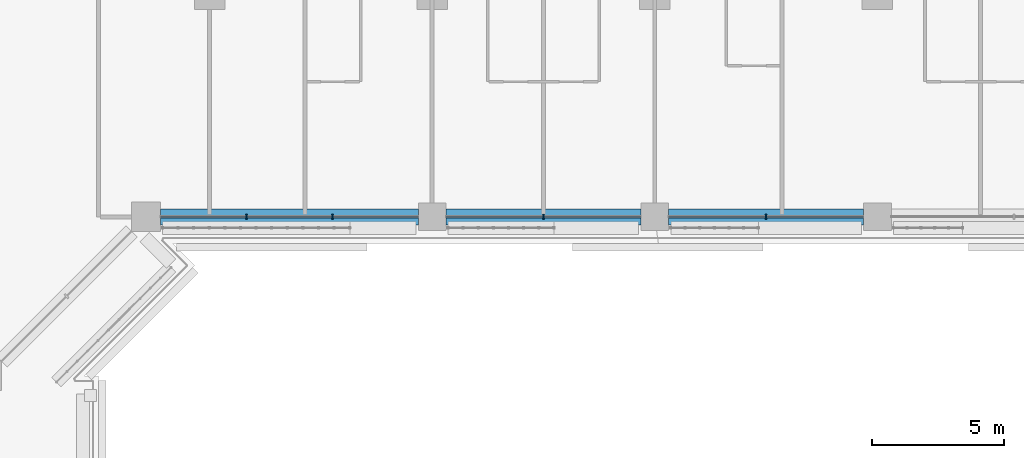
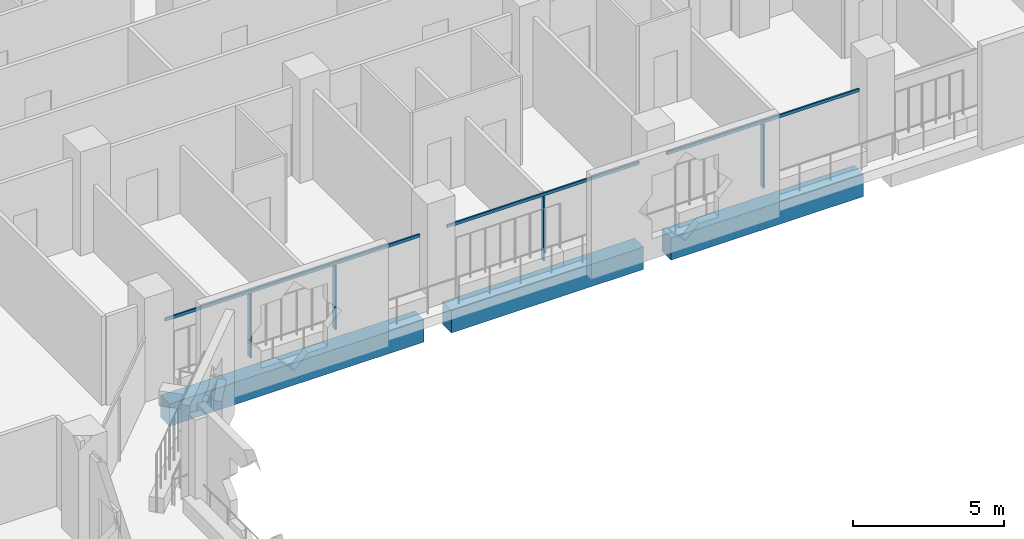
# One storey, part 6 of 27: 7 members, 3 beams, 1 element without a shape of its own.
"""IFC4 building model written with IfcOpenShell, lengths in metres."""

from ifc_helpers import new_model, si_unit, direction, frame, origin, origin_2d, place, context, subcontext, project, spatial, rectangle, extrude, material, layer, layer_set, material_profile, profile_set, type_object, element, aggregate, save


model = new_model("IFC4")

# Units and contexts
model_context = context("Model", 3, precision=1e-05, world=origin(), true_north=direction((0.0, 1.0)))
body_context = subcontext(model_context, "Body", "Model", "MODEL_VIEW")
ifc_project = project(units=[si_unit("LENGTHUNIT", "METRE"), si_unit("AREAUNIT", "SQUARE_METRE"), si_unit("VOLUMEUNIT", "CUBIC_METRE"), si_unit("PLANEANGLEUNIT", "RADIAN"), si_unit("MASSUNIT", "GRAM", prefix="KILO")], contexts=[model_context])

# Site, building, storey
site_placement = place(None, origin())
site = spatial("IfcSite", under=ifc_project, at=site_placement, CompositionType="ELEMENT")
building_placement = place(site_placement, origin())
building = spatial("IfcBuilding", under=site, at=building_placement, Name="Kawkab Arch Medical Tower", CompositionType="ELEMENT")
storey_placement = place(building_placement, frame((0.0, 0.0, 115.60009765625)))
storey = spatial("IfcBuildingStorey", under=building, at=storey_placement, Name="L26", CompositionType="ELEMENT", Elevation=115.60009765625)

# Curtain wall, members
ifc_material_1 = material(Name="Bronze anodised aluminium curtain wall frame", Category="aluminium")
ifc_layer = layer(ifc_material_1, 0.159912109375)
ifc_layer_set = layer_set([ifc_layer], Name="Bronze anodised aluminium curtain wall frame")
curtain_wall_type = type_object("IfcCurtainWallType", Name="CW1 ward curtain wall", PredefinedType="NOTDEFINED", material=ifc_layer_set)
curtain_wall_placement = place(storey_placement, origin())
curtain_wall = element("IfcCurtainWall", 1, at=curtain_wall_placement, inside=storey, type_object=curtain_wall_type, Name="CW1 Ward curtain wall R07", PredefinedType="NOTDEFINED")
ifc_material_2 = material(Name="Bronze anodised aluminium curtain wall frame", Category="aluminium")
ifc_material_profile_1 = material_profile(ifc_material_2, rectangle(XDim=0.179931640625, YDim=0.06005859375, at=origin_2d()), Name="AL 60x180")
ifc_profile_set_1 = profile_set([ifc_material_profile_1], Name="Bronze anodised aluminium curtain wall frame")
member_type_1 = type_object("IfcMemberType", Name="CW1 mullion 60 x 180", PredefinedType="MULLION", material=ifc_profile_set_1)
member_1_placement = place(storey_placement, frame((34.99169921875, -25.199951171875, 0.0), z_axis=(0.0, 0.0, 1.0), x_axis=(0.0, 1.0, 0.0)))
member_1 = element("IfcMember", 2, at=member_1_placement, type_object=member_type_1, Name="CW1 mullion 1.1", PredefinedType="MULLION", context=body_context, shape_type="SweptSolid", body=[
    extrude(rectangle(XDim=0.179931640625, YDim=0.06005859375, at=origin_2d()), origin(), (0.0, 0.0, 1.0), 2.579833984375),
])
member_2_placement = place(storey_placement, frame((38.2333984375, -25.199951171875, 0.0), z_axis=(0.0, 0.0, 1.0), x_axis=(0.0, 1.0, 0.0)))
member_2 = element("IfcMember", 3, at=member_2_placement, type_object=member_type_1, Name="CW1 mullion 1.2", PredefinedType="MULLION", context=body_context, shape_type="SweptSolid", body=[
    extrude(rectangle(XDim=0.179931640625, YDim=0.06005859375, at=origin_2d()), origin(), (0.0, 0.0, 1.0), 2.579833984375),
])
member_3_placement = place(storey_placement, frame((46.199951171875, -25.199951171875, 0.0), z_axis=(0.0, 0.0, 1.0), x_axis=(0.0, 1.0, 0.0)))
member_3 = element("IfcMember", 4, at=member_3_placement, type_object=member_type_1, Name="CW1 mullion 2.1", PredefinedType="MULLION", context=body_context, shape_type="SweptSolid", body=[
    extrude(rectangle(XDim=0.179931640625, YDim=0.06005859375, at=origin_2d()), origin(), (0.0, 0.0, 1.0), 2.579833984375),
])
member_4_placement = place(storey_placement, frame((54.60009765625, -25.199951171875, 0.0), z_axis=(0.0, 0.0, 1.0), x_axis=(0.0, 1.0, 0.0)))
member_4 = element("IfcMember", 5, at=member_4_placement, type_object=member_type_1, Name="CW1 mullion 3.1", PredefinedType="MULLION", context=body_context, shape_type="SweptSolid", body=[
    extrude(rectangle(XDim=0.179931640625, YDim=0.06005859375, at=origin_2d()), origin(), (0.0, 0.0, 1.0), 2.579833984375),
])
ifc_material_3 = material(Name="Bronze anodised aluminium curtain wall frame", Category="aluminium")
ifc_material_profile_2 = material_profile(ifc_material_3, rectangle(XDim=0.06005859375, YDim=0.1201171875, at=origin_2d()), Name="AL 60x120")
ifc_profile_set_2 = profile_set([ifc_material_profile_2], Name="Bronze anodised aluminium curtain wall frame")
member_type_2 = type_object("IfcMemberType", Name="CW1 transom 120 x 60", PredefinedType="USERDEFINED", material=ifc_profile_set_2)
member_5_placement = place(storey_placement, frame((31.75, -25.199951171875, 2.639892578125), z_axis=(1.0, 0.0, 0.0), x_axis=(0.0, 1.0, 0.0)))
member_5 = element("IfcMember", 6, at=member_5_placement, type_object=member_type_2, Name="CW1 transom 1", ObjectType="TRANSOM", PredefinedType="USERDEFINED", context=body_context, shape_type="SweptSolid", body=[
    extrude(rectangle(XDim=0.06005859375, YDim=0.1201171875, at=origin_2d()), origin(), (0.0, 0.0, 1.0), 9.72509765625),
])
member_6_placement = place(storey_placement, frame((42.52490234375, -25.199951171875, 2.639892578125), z_axis=(1.0, 0.0, 0.0), x_axis=(0.0, 1.0, 0.0)))
member_6 = element("IfcMember", 7, at=member_6_placement, type_object=member_type_2, Name="CW1 transom 2", ObjectType="TRANSOM", PredefinedType="USERDEFINED", context=body_context, shape_type="SweptSolid", body=[
    extrude(rectangle(XDim=0.06005859375, YDim=0.1201171875, at=origin_2d()), origin(), (0.0, 0.0, 1.0), 7.35009765625),
])
member_7_placement = place(storey_placement, frame((50.925048828125, -25.199951171875, 2.639892578125), z_axis=(1.0, 0.0, 0.0), x_axis=(0.0, 1.0, 0.0)))
member_7 = element("IfcMember", 8, at=member_7_placement, type_object=member_type_2, Name="CW1 transom 3", ObjectType="TRANSOM", PredefinedType="USERDEFINED", context=body_context, shape_type="SweptSolid", body=[
    extrude(rectangle(XDim=0.06005859375, YDim=0.1201171875, at=origin_2d()), origin(), (0.0, 0.0, 1.0), 7.349853515625),
])
aggregate(curtain_wall, [member_5, member_1, member_2, member_6, member_3, member_7, member_4])

# Beams
ifc_material_4 = material(Name="Concrete C55/67", Category="concrete")
ifc_material_profile_3 = material_profile(ifc_material_4, rectangle(XDim=0.60009765625, YDim=0.89990234375, at=origin_2d()), Name="RC 600x900")
ifc_profile_set_3 = profile_set([ifc_material_profile_3], Name="Concrete C55/67")
beam_type = type_object("IfcBeamType", Name="RC 600x900 beam C55/67", PredefinedType="BEAM", material=ifc_profile_set_3)
beam_1_placement = place(storey_placement, frame((58.27490234375, -25.199951171875, -1.050048828125), z_axis=(-1.0, 0.0, 0.0), x_axis=(0.0, -1.0, 0.0)))
element("IfcBeam", 9, at=beam_1_placement, inside=storey, type_object=beam_type, Name="Overhang edge beam L26-03", PredefinedType="BEAM", context=body_context, shape_type="SweptSolid", body=[
    extrude(rectangle(XDim=0.60009765625, YDim=0.89990234375, at=origin_2d()), origin(), (0.0, 0.0, 1.0), 7.349853515625),
])
beam_2_placement = place(storey_placement, frame((49.875, -25.199951171875, -1.050048828125), z_axis=(-1.0, 0.0, 0.0), x_axis=(0.0, -1.0, 0.0)))
element("IfcBeam", 10, at=beam_2_placement, inside=storey, type_object=beam_type, Name="Overhang edge beam L26-04", PredefinedType="BEAM", context=body_context, shape_type="SweptSolid", body=[
    extrude(rectangle(XDim=0.60009765625, YDim=0.89990234375, at=origin_2d()), origin(), (0.0, 0.0, 1.0), 7.35009765625),
])
beam_3_placement = place(storey_placement, frame((41.47509765625, -25.199951171875, -1.050048828125), z_axis=(-1.0, 0.0, 0.0), x_axis=(0.0, -1.0, 0.0)))
element("IfcBeam", 11, at=beam_3_placement, inside=storey, type_object=beam_type, Name="Overhang edge beam L26-05", PredefinedType="BEAM", context=body_context, shape_type="SweptSolid", body=[
    extrude(rectangle(XDim=0.60009765625, YDim=0.89990234375, at=origin_2d()), origin(), (0.0, 0.0, 1.0), 9.72509765625),
])

save(model, "model.ifc")
